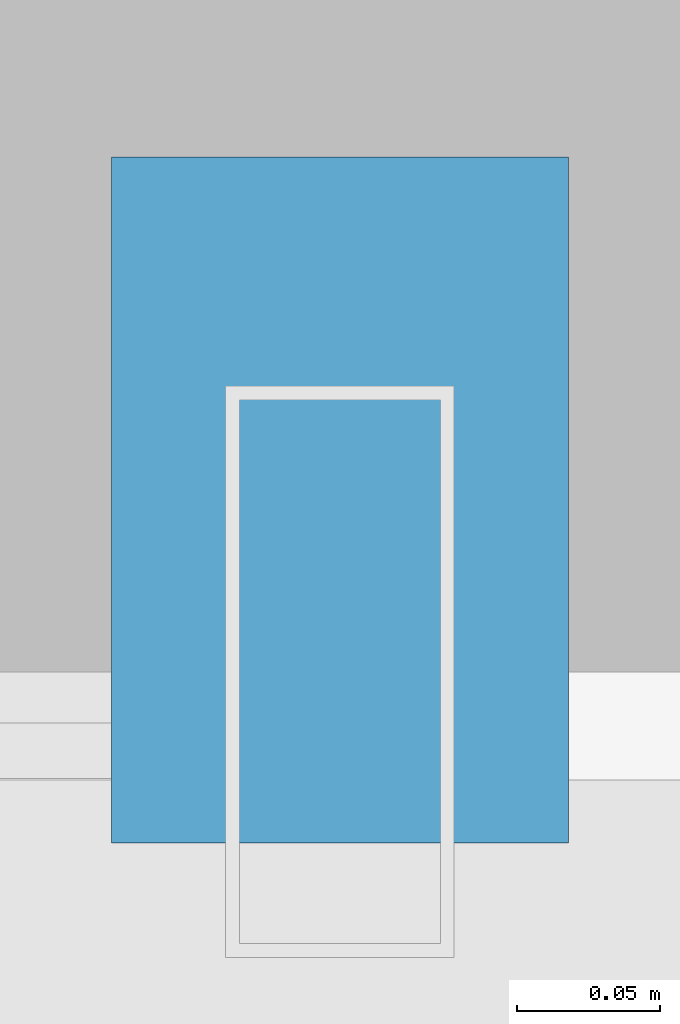
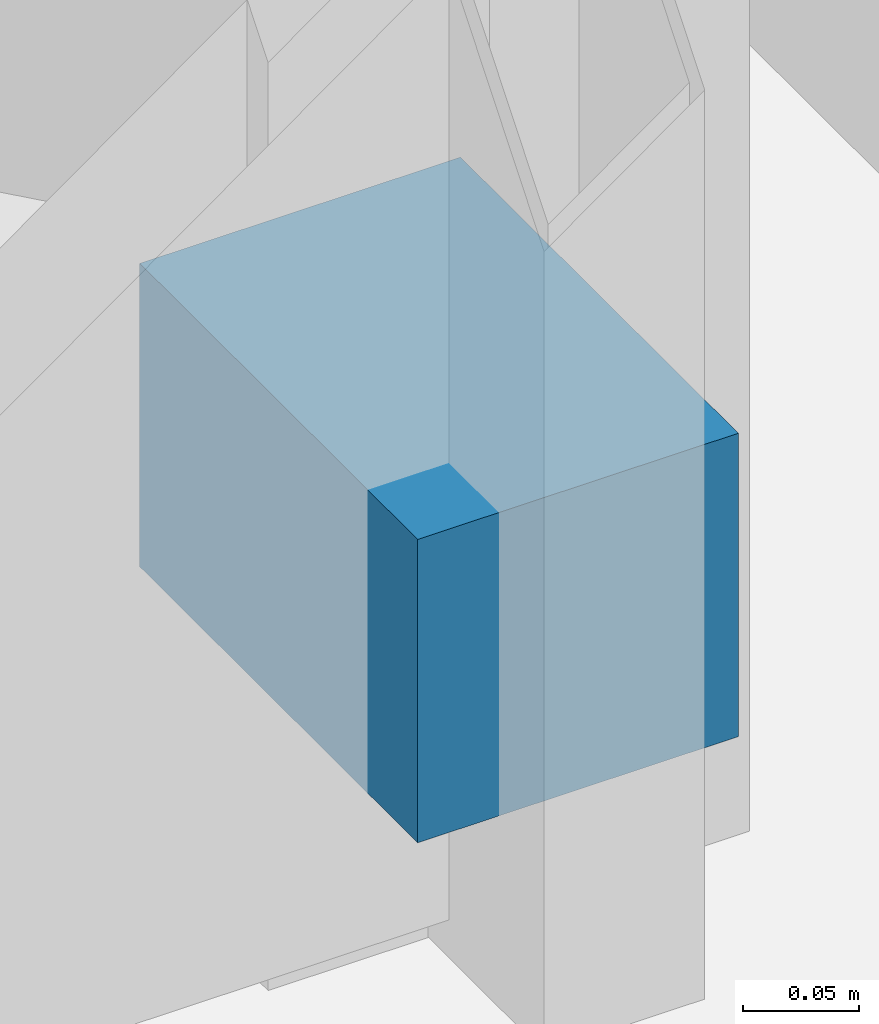
# One storey, part 35 of 38: 1 discrete accessory.
"""IFC4 building model written with IfcOpenShell, lengths in metres."""

from ifc_helpers import new_model, si_unit, direction, frame, origin, origin_2d, place, context, subcontext, project, spatial, rectangle, extrude, material, type_object, element, save


model = new_model("IFC4")

# Units and contexts
model_context = context("Model", 3, precision=1e-05, world=origin(), true_north=direction((0.0, 1.0)))
body_context = subcontext(model_context, "Body", "Model", "MODEL_VIEW")
ifc_project = project(units=[si_unit("LENGTHUNIT", "METRE"), si_unit("AREAUNIT", "SQUARE_METRE"), si_unit("VOLUMEUNIT", "CUBIC_METRE"), si_unit("PLANEANGLEUNIT", "RADIAN"), si_unit("MASSUNIT", "GRAM", prefix="KILO")], contexts=[model_context])

# Site, building, storey
site_placement = place(None, origin())
site = spatial("IfcSite", under=ifc_project, at=site_placement, CompositionType="ELEMENT")
building_placement = place(site_placement, origin())
building = spatial("IfcBuilding", under=site, at=building_placement, Name="Drelvath Grand Hotel", CompositionType="ELEMENT")
storey_placement = place(building_placement, frame((0.0, 0.0, 64.699951171875)))
storey = spatial("IfcBuildingStorey", under=building, at=storey_placement, Name="L15", CompositionType="ELEMENT", Elevation=64.699951171875)

# Discrete accessory
ifc_material = material(Name="Stainless Steel Grade 316", Category="steel")
discrete_accessory_type = type_object("IfcDiscreteAccessoryType", Name="Curtain Wall Fin Mounting Bracket Cleat", PredefinedType="BRACKET", material=ifc_material)
discrete_accessory_placement = place(storey_placement, frame((5.39990234375, 53.260009765625, 0.10009765625), z_axis=(0.0, 0.0, 1.0), x_axis=(1.0, 0.0, 0.0)))
element("IfcDiscreteAccessory", 1, at=discrete_accessory_placement, inside=storey, type_object=discrete_accessory_type, Name="L15 Fin Mounting Bracket CW02-L15-NM2-1", PredefinedType="BRACKET", context=body_context, shape_type="SweptSolid", body=[
    extrude(rectangle(XDim=0.159912109375, YDim=0.239990234375, at=origin_2d()), origin(), (0.0, 0.0, 1.0), 0.159912109375),
])

save(model, "model.ifc")
